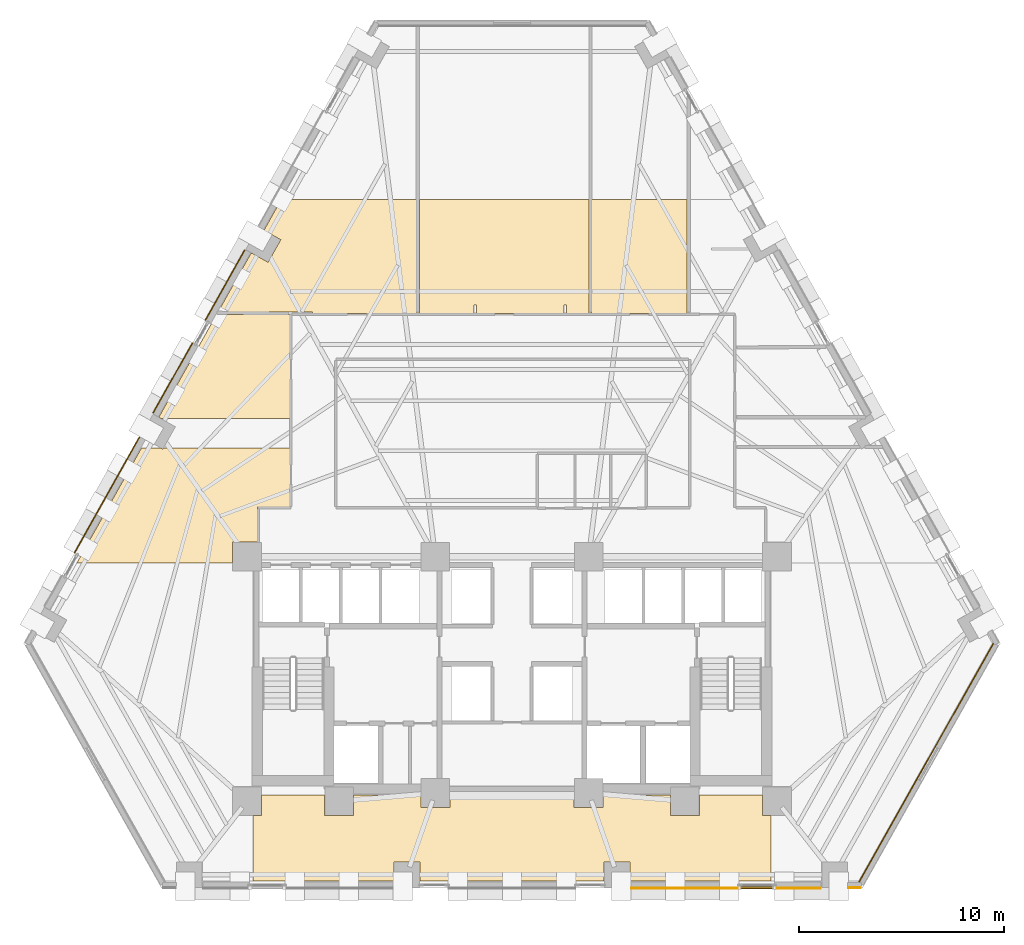
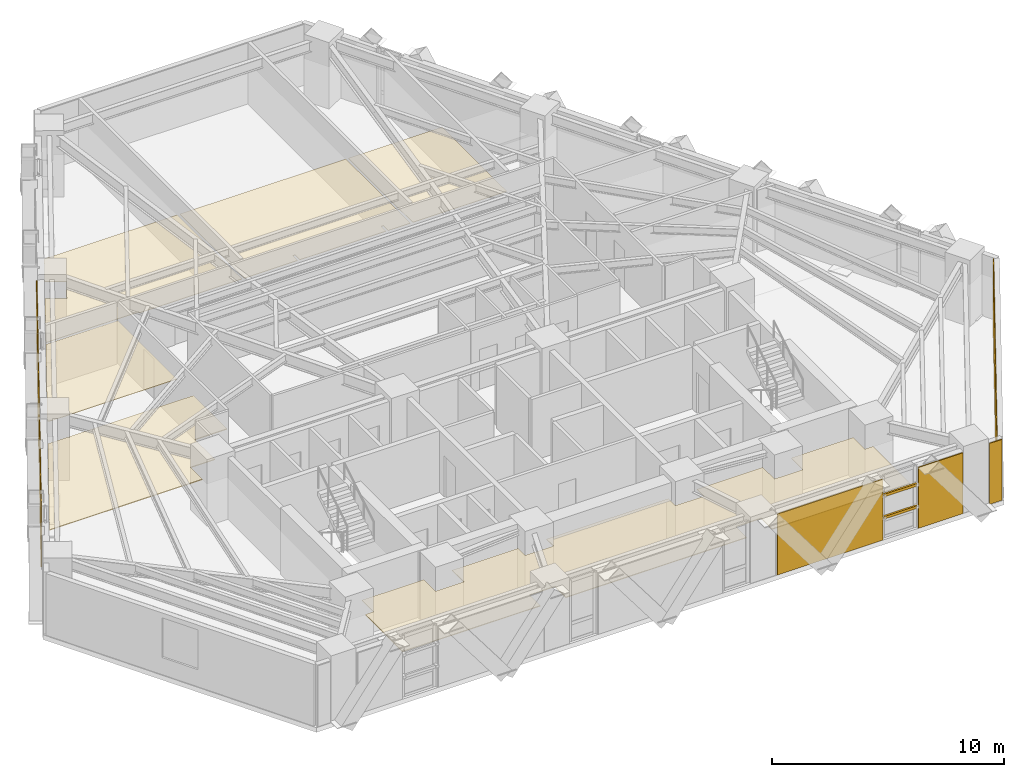
# One storey, part 11 of 13: 13 coverings, 2 shading devices.
"""IFC4 building model written with IfcOpenShell, lengths in metres."""

from ifc_helpers import new_model, si_unit, direction, frame, origin, origin_2d, place, context, subcontext, project, spatial, polyline, rectangle, outline, extrude, material, layer, layer_set, material_profile, profile_set, type_object, element, save


model = new_model("IFC4")

# Units and contexts
model_context = context("Model", 3, precision=1e-05, world=origin(), true_north=direction((0.0, 1.0)))
body_context = subcontext(model_context, "Body", "Model", "MODEL_VIEW")
ifc_project = project(units=[si_unit("LENGTHUNIT", "METRE"), si_unit("AREAUNIT", "SQUARE_METRE"), si_unit("VOLUMEUNIT", "CUBIC_METRE"), si_unit("PLANEANGLEUNIT", "RADIAN"), si_unit("MASSUNIT", "GRAM", prefix="KILO")], contexts=[model_context])

# Site, building, storey
site_placement = place(None, origin())
site = spatial("IfcSite", under=ifc_project, at=site_placement, CompositionType="ELEMENT")
building_placement = place(site_placement, origin())
building = spatial("IfcBuilding", under=site, at=building_placement, Name="Quenlor Broadcast Tower", CompositionType="ELEMENT")
storey_placement = place(building_placement, frame((0.0, 0.0, 69.60009765625)))
storey = spatial("IfcBuildingStorey", under=building, at=storey_placement, Name="L18", CompositionType="ELEMENT", Elevation=69.60009765625)

# Coverings
ifc_material_1 = material(Name="Acoustic Mineral Fibre Board", Category="other")
ifc_layer_1 = layer(ifc_material_1, 0.02490234375)
ifc_layer_set_1 = layer_set([ifc_layer_1], Name="Acoustic Perforated Mineral Tile Ceiling 25")
covering_type_1 = type_object("IfcCoveringType", Name="Acoustic Perforated Mineral Tile Ceiling 25", PredefinedType="CEILING", material=ifc_layer_set_1)
covering_1_placement = place(storey_placement, frame((0.0, 0.0, 2.224853515625)))
element("IfcCovering", 1, at=covering_1_placement, inside=storey, type_object=covering_type_1, Name="L18 Acoustic Ceiling L18-30", PredefinedType="CEILING", context=body_context, shape_type="SweptSolid", body=[
    extrude(outline(polyline([(-1.739990234375, 7.5), (-1.860107421875, 7.5), (-1.860107421875, 7.080078125), (-4.52001953125, 7.080078125), (-4.52001953125, 12.64990234375), (3.760009765625, 12.64990234375), (3.760009765625, 7.080078125), (2.659912109375, 7.080078125), (2.659912109375, 7.5), (2.5400390625, 7.5), (2.5400390625, 7.080078125), (-1.739990234375, 7.080078125), (-1.739990234375, 7.5)])), origin(), (0.0, 0.0, 1.0), 0.025146484375),
])
covering_2_placement = place(storey_placement, frame((0.0, 0.0, 2.224853515625)))
element("IfcCovering", 2, at=covering_2_placement, inside=storey, type_object=covering_type_1, Name="L18 Acoustic Ceiling L18-31", PredefinedType="CEILING", context=body_context, shape_type="SweptSolid", body=[
    extrude(outline(polyline([(8.56005859375, 7.080078125), (3.8798828125, 7.080078125), (3.8798828125, 12.64990234375), (8.56005859375, 12.64990234375), (8.56005859375, 7.080078125)])), origin(), (0.0, 0.0, 1.0), 0.025146484375),
])
covering_3_placement = place(storey_placement, frame((0.0, 0.0, 2.224853515625)))
element("IfcCovering", 3, at=covering_3_placement, inside=storey, type_object=covering_type_1, Name="L18 Acoustic Ceiling L18-32", PredefinedType="CEILING", context=body_context, shape_type="SweptSolid", body=[
    extrude(outline(polyline([(-14.369873046875, 7.159912109375), (-12.74365234375, 10.05126953125), (-11.921630859375, 9.5888671875), (-11.301025390625, 10.6923828125), (-12.122802734375, 11.154541015625), (-11.28173828125, 12.64990234375), (-4.639892578125, 12.64990234375), (-4.639892578125, 7.080078125), (-9.75, 7.080078125), (-9.75, 7.159912109375), (-14.369873046875, 7.159912109375)])), origin(), (0.0, 0.0, 1.0), 0.025146484375),
])
covering_4_placement = place(storey_placement, frame((0.0, 0.0, 2.224853515625)))
element("IfcCovering", 4, at=covering_4_placement, inside=storey, type_object=covering_type_1, Name="L18 Acoustic Ceiling L18-34", PredefinedType="CEILING", context=body_context, shape_type="SweptSolid", body=[
    extrude(outline(polyline([(-17.165283203125, 1.9599609375), (-17.263671875, 2.015380859375), (-14.4375, 7.0400390625), (-10.8349609375, 7.0400390625), (-10.8349609375, 1.9599609375), (-17.165283203125, 1.9599609375)])), origin(), (0.0, 0.0, 1.0), 0.025146484375),
])
ifc_material_2 = material(Name="Acoustic Gypsum Board", Category="other")
ifc_layer_2 = layer(ifc_material_2, 0.0400390625)
ifc_layer_set_2 = layer_set([ifc_layer_2], Name="Broadcast Studio Spring Isolated Ceiling 40")
covering_type_2 = type_object("IfcCoveringType", Name="Broadcast Studio Spring Isolated Ceiling 40", PredefinedType="CEILING", material=ifc_layer_set_2)
covering_5_placement = place(storey_placement, frame((0.0, 0.0, 2.2099609375)))
element("IfcCovering", 5, at=covering_5_placement, inside=storey, type_object=covering_type_2, Name="L18 Acoustic Ceiling L18-37", PredefinedType="CEILING", context=body_context, shape_type="SweptSolid", body=[
    extrude(outline(polyline([(-17.02099609375, 0.523193359375), (-10.8349609375, 0.523193359375), (-10.8349609375, -2.3701171875), (-12.43994140625, -2.3701171875), (-12.43994140625, -4.092041015625), (-13.657958984375, -4.092041015625), (-13.657958984375, -5.1201171875), (-21.27734375, -5.1201171875), (-18.10302734375, 0.523193359375), (-17.193359375, 0.523193359375), (-17.0625, 0.44970703125), (-17.02099609375, 0.523193359375)])), origin(), (0.0, 0.0, 1.0), 0.0400390625),
])
covering_6_placement = place(storey_placement, frame((0.0, 0.0, 2.2099609375)))
element("IfcCovering", 6, at=covering_6_placement, inside=storey, type_object=covering_type_2, Name="L18 Acoustic Ceiling L18-37-5", PredefinedType="CEILING", context=body_context, shape_type="SweptSolid", body=[
    extrude(outline(polyline([(-12.241943359375, -17.4580078125), (-12.241943359375, -16.449951171875), (-9.157958984375, -16.449951171875), (-9.157958984375, -17.4580078125), (-7.741943359375, -17.4580078125), (-7.741943359375, -16.449951171875), (-4.4580078125, -16.449951171875), (-4.4580078125, -17.05810546875), (-3.0419921875, -17.05810546875), (-3.0419921875, -16.449951171875), (3.0419921875, -16.449951171875), (3.0419921875, -17.05810546875), (4.4580078125, -17.05810546875), (4.4580078125, -16.449951171875), (7.741943359375, -16.449951171875), (7.741943359375, -17.4580078125), (9.157958984375, -17.4580078125), (9.157958984375, -16.449951171875), (12.241943359375, -16.449951171875), (12.241943359375, -17.4580078125), (12.64990234375, -17.4580078125), (12.64990234375, -20.659912109375), (5.773681640625, -20.659912109375), (5.773681640625, -19.717041015625), (4.5078125, -19.717041015625), (4.5078125, -20.659912109375), (-4.5078125, -20.659912109375), (-4.5078125, -19.717041015625), (-5.773681640625, -19.717041015625), (-5.773681640625, -20.659912109375), (-12.64990234375, -20.659912109375), (-12.64990234375, -17.4580078125), (-12.241943359375, -17.4580078125)])), origin(), (0.0, 0.0, 1.0), 0.0400390625),
])

# Shading devices
ifc_material_3 = material(Name="Architectural Terracotta Ceramic", Category="masonry")
ifc_material_profile = material_profile(ifc_material_3, rectangle(XDim=0.090087890625, YDim=0.139892578125, at=origin_2d()))
ifc_profile_set = profile_set([ifc_material_profile], Name="Architectural Terracotta Ceramic BAG90x140")
shading_device_type = type_object("IfcShadingDeviceType", Name="Copper Terracotta Baguette Solar Screen 140", PredefinedType="USERDEFINED", material=ifc_profile_set)
for number, where, z_axis, x_axis, name in (
    (7, (12.794921875, -20.98291015625, 1.169921875), (-1.0, 0.0, 0.0), (0.0, -1.0, 0.0), "L18 Terracotta Baguette Screen 1"),
    (8, (12.794921875, -20.98291015625, 2.33984375), (-1.0, 0.0, 0.0), (0.0, -1.0, 0.0), "L18 Terracotta Baguette Screen 2"),
):
    element("IfcShadingDevice", number, at=place(storey_placement, frame(where, z_axis=z_axis, x_axis=x_axis)), inside=storey, type_object=shading_device_type, Name=name, ObjectType="BAGUETTE", PredefinedType="USERDEFINED", context=body_context, shape_type="SweptSolid", body=[
        extrude(rectangle(XDim=0.090087890625, YDim=0.139892578125, at=origin_2d()), origin(), (0.0, 0.0, 1.0), 1.6484375),
    ])

# Coverings
ifc_material_4 = material(Name="Architectural Terracotta Ceramic", Category="masonry")
ifc_layer_3 = layer(ifc_material_4, 0.044921875)
ifc_layer_set_3 = layer_set([ifc_layer_3], Name="Fluted Terracotta Rainscreen Cladding Panel")
covering_type_3 = type_object("IfcCoveringType", Name="Fluted Terracotta Rainscreen Cladding Panel", PredefinedType="CLADDING", material=ifc_layer_set_3)
covering_7_placement = place(storey_placement, frame((0.0, 0.0, 0.02001953125)))
element("IfcCovering", 9, at=covering_7_placement, inside=storey, type_object=covering_type_3, Name="L18 Terracotta Rainscreen Cladding L18-SHD-SS0", PredefinedType="CLADDING", context=body_context, shape_type="SweptSolid", body=[
    extrude(outline(polyline([(17.0458984375, -20.951904296875), (16.425048828125, -20.951904296875), (16.425048828125, -20.9970703125), (17.0458984375, -20.9970703125), (17.0458984375, -20.951904296875)])), origin(), (0.0, 0.0, 1.0), 3.2099609375),
])
covering_8_placement = place(storey_placement, frame((0.0, 0.0, 0.02001953125)))
element("IfcCovering", 10, at=covering_8_placement, inside=storey, type_object=covering_type_3, Name="L18 Terracotta Rainscreen Cladding L18-SA-SP1", PredefinedType="CLADDING", context=body_context, shape_type="SweptSolid", body=[
    extrude(outline(polyline([(15.085205078125, -20.98193359375), (12.864990234375, -20.98193359375), (12.864990234375, -21.027099609375), (15.085205078125, -21.027099609375), (15.085205078125, -20.98193359375)])), origin(), (0.0, 0.0, 1.0), 3.2099609375),
])
covering_9_placement = place(storey_placement, frame((0.0, 0.0, 0.02001953125)))
element("IfcCovering", 11, at=covering_9_placement, inside=storey, type_object=covering_type_3, Name="L18 Terracotta Rainscreen Cladding L18-SA-SP2", PredefinedType="CLADDING", context=body_context, shape_type="SweptSolid", body=[
    extrude(outline(polyline([(11.07666015625, -20.98193359375), (5.82080078125, -20.98193359375), (5.82080078125, -21.027099609375), (11.07666015625, -21.027099609375), (11.07666015625, -20.98193359375)])), origin(), (0.0, 0.0, 1.0), 3.2099609375),
])
covering_10_placement = place(storey_placement, frame((0.0, 0.0, 0.02001953125)))
element("IfcCovering", 12, at=covering_10_placement, inside=storey, type_object=covering_type_3, Name="L18 Terracotta Rainscreen Cladding L18-NWA-SP2", PredefinedType="CLADDING", context=body_context, shape_type="SweptSolid", body=[
    extrude(outline(polyline([(-21.36669921875, -4.621826171875), (-18.18798828125, 1.029052734375), (-18.227294921875, 1.051025390625), (-21.406005859375, -4.599853515625), (-21.36669921875, -4.621826171875)])), origin(), (0.0, 0.0, 1.0), 3.2099609375),
])
covering_11_placement = place(storey_placement, frame((0.0, 0.0, 0.02001953125)))
element("IfcCovering", 13, at=covering_11_placement, inside=storey, type_object=covering_type_3, Name="L18 Terracotta Rainscreen Cladding L18-NW-SP1", PredefinedType="CLADDING", context=body_context, shape_type="SweptSolid", body=[
    extrude(outline(polyline([(-17.523681640625, 2.2099609375), (-15.595458984375, 5.63818359375), (-15.634765625, 5.66015625), (-17.56298828125, 2.23193359375), (-17.523681640625, 2.2099609375)])), origin(), (0.0, 0.0, 1.0), 3.2099609375),
])
covering_12_placement = place(storey_placement, frame((0.0, 0.0, 0.02001953125)))
element("IfcCovering", 14, at=covering_12_placement, inside=storey, type_object=covering_type_3, Name="L18 Terracotta Rainscreen Cladding L18-NW-SP2", PredefinedType="CLADDING", context=body_context, shape_type="SweptSolid", body=[
    extrude(outline(polyline([(-14.97314453125, 6.744384765625), (-13.044921875, 10.172607421875), (-13.083984375, 10.194580078125), (-15.012451171875, 6.766357421875), (-14.97314453125, 6.744384765625)])), origin(), (0.0, 0.0, 1.0), 3.2099609375),
])
covering_13_placement = place(storey_placement, frame((0.0, 0.0, 0.02001953125)))
element("IfcCovering", 15, at=covering_13_placement, inside=storey, type_object=covering_type_3, Name="L18 Terracotta Rainscreen Cladding L18-CNR-06", PredefinedType="CLADDING", context=body_context, shape_type="SweptSolid", body=[
    extrude(outline(polyline([(16.98388671875, -20.71533203125), (23.547607421875, -9.046875), (23.50830078125, -9.02490234375), (16.94482421875, -20.693359375), (16.98388671875, -20.71533203125)])), origin(), (0.0, 0.0, 1.0), 3.2099609375),
])

save(model, "model.ifc")
